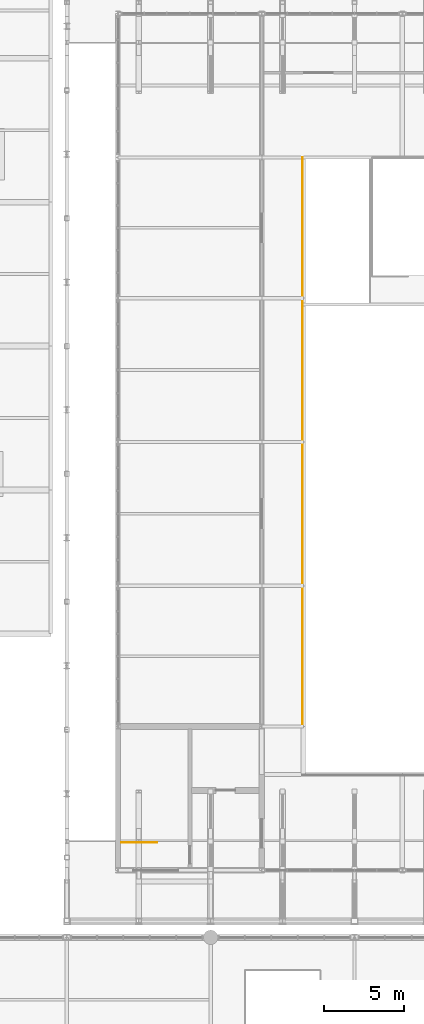
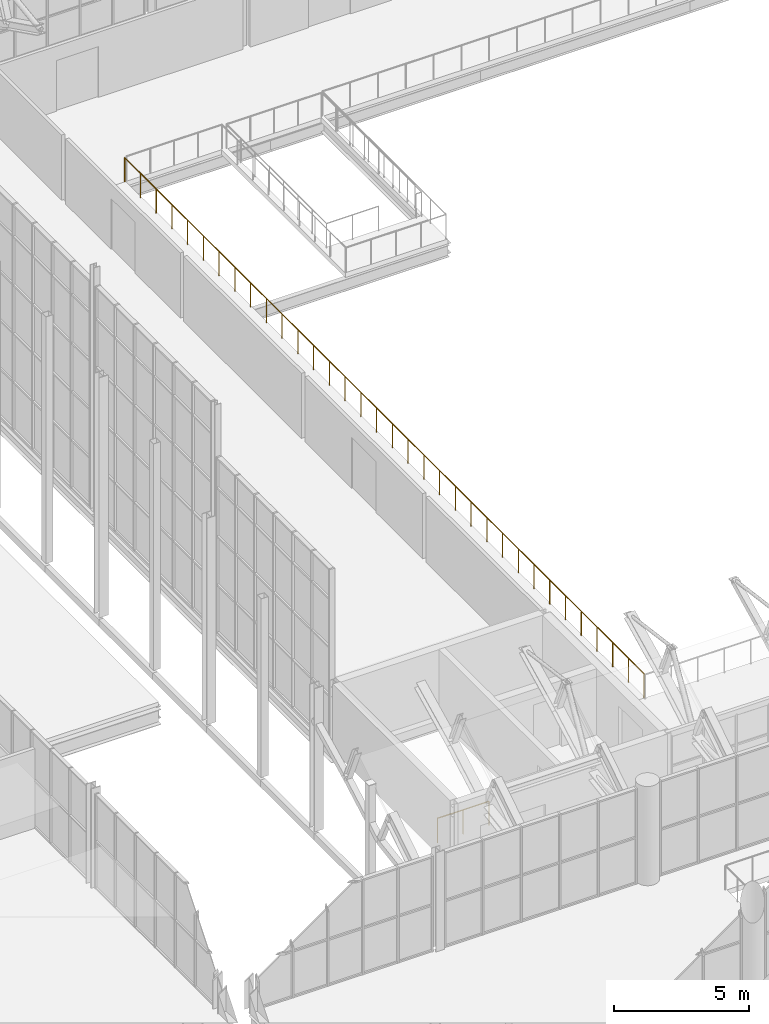
# One storey, part 130 of 134: 2 railings.
"""IFC4 building model written with IfcOpenShell, lengths in metres."""

from ifc_helpers import new_model, si_unit, direction, frame, origin, origin_2d, place, context, subcontext, project, spatial, circle, extrude, material, type_object, element, save


model = new_model("IFC4")

# Units and contexts
model_context = context("Model", 3, precision=1e-05, world=origin(), true_north=direction((0.0, 1.0)))
body_context = subcontext(model_context, "Body", "Model", "MODEL_VIEW")
ifc_project = project(units=[si_unit("LENGTHUNIT", "METRE"), si_unit("AREAUNIT", "SQUARE_METRE"), si_unit("VOLUMEUNIT", "CUBIC_METRE"), si_unit("PLANEANGLEUNIT", "RADIAN"), si_unit("MASSUNIT", "GRAM", prefix="KILO")], contexts=[model_context])

# Site, building, storey
site_placement = place(None, origin())
site = spatial("IfcSite", under=ifc_project, at=site_placement, CompositionType="ELEMENT")
building_placement = place(site_placement, origin())
building = spatial("IfcBuilding", under=site, at=building_placement, Name="Cazmaro Siding Exhibition Halls", CompositionType="ELEMENT")
storey_placement = place(building_placement, frame((0.0, 0.0, 12.0)))
storey = spatial("IfcBuildingStorey", under=building, at=storey_placement, Name="L02", CompositionType="ELEMENT", Elevation=12.0)

# Railings
ifc_material_1 = material(Name="Interior Laminated Glass and Brushed Stainless Steel Balustrade", Category="steel")
railing_type_1 = type_object("IfcRailingType", Name="RL-BAL-02", PredefinedType="BALUSTRADE", material=ifc_material_1)
railing_1_placement = place(storey_placement, frame((59.75, 73.199951171875, 0.0)))
element("IfcRailing", 1, at=railing_1_placement, inside=storey, type_object=railing_type_1, Name="Hall A West Gallery Overlook Guard L02 RL-BAL-02 RL-G030", PredefinedType="BALUSTRADE", context=body_context, shape_type="SweptSolid", body=[
    extrude(circle(Radius=0.02392578125, at=origin_2d()), frame((0.0, 0.0, 1.09619140625), z_axis=(0.0, 1.0, 0.0), x_axis=(-1.0, 0.0, 0.0)), (0.0, 0.0, 1.0), 38.60009765625),
    extrude(circle(Radius=0.02099609375, at=origin_2d()), origin(), (0.0, 0.0, 1.0), 1.072021484375),
    extrude(circle(Radius=0.02099609375, at=origin_2d()), frame((0.0, 1.169677734375, 0.0)), (0.0, 0.0, 1.0), 1.072021484375),
    extrude(circle(Radius=0.02099609375, at=origin_2d()), frame((0.0, 2.33935546875, 0.0)), (0.0, 0.0, 1.0), 1.072021484375),
    extrude(circle(Radius=0.02099609375, at=origin_2d()), frame((0.0, 3.509033203125, 0.0)), (0.0, 0.0, 1.0), 1.072021484375),
    extrude(circle(Radius=0.02099609375, at=origin_2d()), frame((0.0, 4.6787109375, 0.0)), (0.0, 0.0, 1.0), 1.072021484375),
    extrude(circle(Radius=0.02099609375, at=origin_2d()), frame((0.0, 5.848388671875, 0.0)), (0.0, 0.0, 1.0), 1.072021484375),
    extrude(circle(Radius=0.02099609375, at=origin_2d()), frame((0.0, 7.018310546875, 0.0)), (0.0, 0.0, 1.0), 1.072021484375),
    extrude(circle(Radius=0.02099609375, at=origin_2d()), frame((0.0, 8.18798828125, 0.0)), (0.0, 0.0, 1.0), 1.072021484375),
    extrude(circle(Radius=0.02099609375, at=origin_2d()), frame((0.0, 9.357666015625, 0.0)), (0.0, 0.0, 1.0), 1.072021484375),
    extrude(circle(Radius=0.02099609375, at=origin_2d()), frame((0.0, 10.52734375, 0.0)), (0.0, 0.0, 1.0), 1.072021484375),
    extrude(circle(Radius=0.02099609375, at=origin_2d()), frame((0.0, 11.697021484375, 0.0)), (0.0, 0.0, 1.0), 1.072021484375),
    extrude(circle(Radius=0.02099609375, at=origin_2d()), frame((0.0, 12.86669921875, 0.0)), (0.0, 0.0, 1.0), 1.072021484375),
    extrude(circle(Radius=0.02099609375, at=origin_2d()), frame((0.0, 14.036376953125, 0.0)), (0.0, 0.0, 1.0), 1.072021484375),
    extrude(circle(Radius=0.02099609375, at=origin_2d()), frame((0.0, 15.2060546875, 0.0)), (0.0, 0.0, 1.0), 1.072021484375),
    extrude(circle(Radius=0.02099609375, at=origin_2d()), frame((0.0, 16.375732421875, 0.0)), (0.0, 0.0, 1.0), 1.072021484375),
    extrude(circle(Radius=0.02099609375, at=origin_2d()), frame((0.0, 17.54541015625, 0.0)), (0.0, 0.0, 1.0), 1.072021484375),
    extrude(circle(Radius=0.02099609375, at=origin_2d()), frame((0.0, 18.715087890625, 0.0)), (0.0, 0.0, 1.0), 1.072021484375),
    extrude(circle(Radius=0.02099609375, at=origin_2d()), frame((0.0, 19.885009765625, 0.0)), (0.0, 0.0, 1.0), 1.072021484375),
    extrude(circle(Radius=0.02099609375, at=origin_2d()), frame((0.0, 21.0546875, 0.0)), (0.0, 0.0, 1.0), 1.072021484375),
    extrude(circle(Radius=0.02099609375, at=origin_2d()), frame((0.0, 22.224365234375, 0.0)), (0.0, 0.0, 1.0), 1.072021484375),
    extrude(circle(Radius=0.02099609375, at=origin_2d()), frame((0.0, 23.39404296875, 0.0)), (0.0, 0.0, 1.0), 1.072021484375),
    extrude(circle(Radius=0.02099609375, at=origin_2d()), frame((0.0, 24.563720703125, 0.0)), (0.0, 0.0, 1.0), 1.072021484375),
    extrude(circle(Radius=0.02099609375, at=origin_2d()), frame((0.0, 25.7333984375, 0.0)), (0.0, 0.0, 1.0), 1.072021484375),
    extrude(circle(Radius=0.02099609375, at=origin_2d()), frame((0.0, 26.903076171875, 0.0)), (0.0, 0.0, 1.0), 1.072021484375),
    extrude(circle(Radius=0.02099609375, at=origin_2d()), frame((0.0, 28.07275390625, 0.0)), (0.0, 0.0, 1.0), 1.072021484375),
    extrude(circle(Radius=0.02099609375, at=origin_2d()), frame((0.0, 29.242431640625, 0.0)), (0.0, 0.0, 1.0), 1.072021484375),
    extrude(circle(Radius=0.02099609375, at=origin_2d()), frame((0.0, 30.412109375, 0.0)), (0.0, 0.0, 1.0), 1.072021484375),
    extrude(circle(Radius=0.02099609375, at=origin_2d()), frame((0.0, 31.581787109375, 0.0)), (0.0, 0.0, 1.0), 1.072021484375),
    extrude(circle(Radius=0.02099609375, at=origin_2d()), frame((0.0, 32.751708984375, 0.0)), (0.0, 0.0, 1.0), 1.072021484375),
    extrude(circle(Radius=0.02099609375, at=origin_2d()), frame((0.0, 33.92138671875, 0.0)), (0.0, 0.0, 1.0), 1.072021484375),
    extrude(circle(Radius=0.02099609375, at=origin_2d()), frame((0.0, 35.091064453125, 0.0)), (0.0, 0.0, 1.0), 1.072021484375),
    extrude(circle(Radius=0.02099609375, at=origin_2d()), frame((0.0, 36.2607421875, 0.0)), (0.0, 0.0, 1.0), 1.072021484375),
    extrude(circle(Radius=0.02099609375, at=origin_2d()), frame((0.0, 37.430419921875, 0.0)), (0.0, 0.0, 1.0), 1.072021484375),
    extrude(circle(Radius=0.02099609375, at=origin_2d()), frame((0.0, 38.60009765625, 0.0)), (0.0, 0.0, 1.0), 1.072021484375),
])
ifc_material_2 = material(Name="Painted Steel Stairwell Guardrail", Category="steel")
railing_type_2 = type_object("IfcRailingType", Name="RL-GRD-01", PredefinedType="GUARDRAIL", material=ifc_material_2)
railing_2_placement = place(storey_placement, frame((48.4150390625, 68.93994140625, 0.0)))
element("IfcRailing", 2, at=railing_2_placement, inside=storey, type_object=railing_type_2, Name="Core C1 L02 Top Stairwell Guard RL-GRD-01 RL-SG004", PredefinedType="GUARDRAIL", context=body_context, shape_type="SweptSolid", body=[
    extrude(circle(Radius=0.02392578125, at=origin_2d()), frame((0.0, 0.0, 1.09619140625), z_axis=(1.0, 0.0, 0.0), x_axis=(0.0, 1.0, 0.0)), (0.0, 0.0, 1.0), 2.21484375),
    extrude(circle(Radius=0.02099609375, at=origin_2d()), origin(), (0.0, 0.0, 1.0), 1.072021484375),
    extrude(circle(Radius=0.02099609375, at=origin_2d()), frame((1.107421875, 0.0, 0.0)), (0.0, 0.0, 1.0), 1.072021484375),
    extrude(circle(Radius=0.02099609375, at=origin_2d()), frame((2.21484375, 0.0, 0.0)), (0.0, 0.0, 1.0), 1.072021484375),
])

save(model, "model.ifc")
